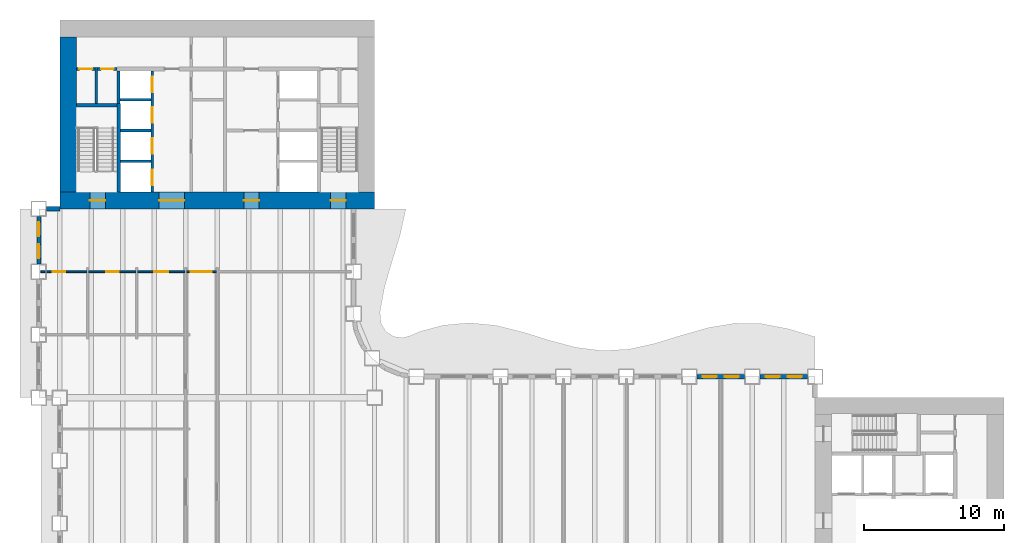
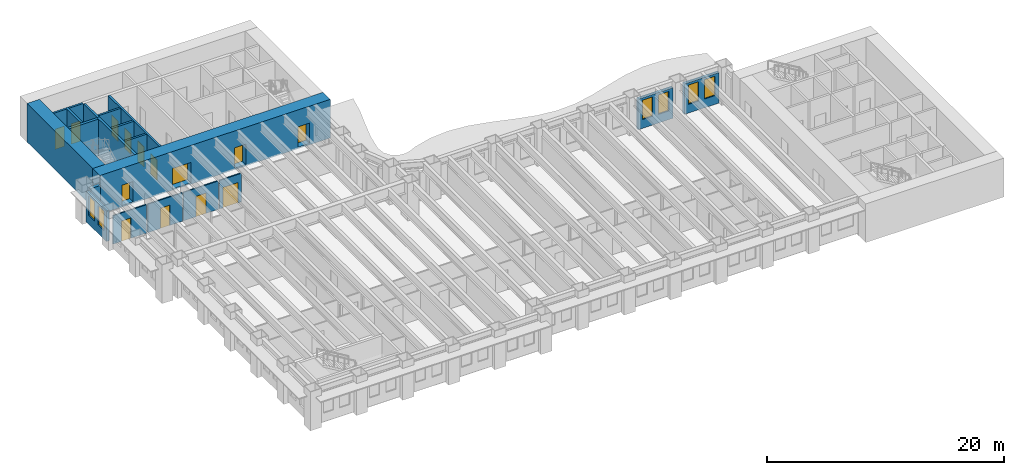
# One storey, part 7 of 16: 20 walls, 14 doors, 6 windows, 20 openings.
"""IFC4 building model written with IfcOpenShell, lengths in metres."""

from ifc_helpers import new_model, si_unit, direction, frame, frame_2d, origin, place, context, subcontext, project, spatial, rectangle, extrude, material, layer, layer_set, type_object, element, fill, save


model = new_model("IFC4")

# Units and contexts
model_context = context("Model", 3, precision=1e-05, world=origin(), true_north=direction((0.0, 1.0)))
body_context = subcontext(model_context, "Body", "Model", "MODEL_VIEW")
ifc_project = project(units=[si_unit("LENGTHUNIT", "METRE"), si_unit("AREAUNIT", "SQUARE_METRE"), si_unit("VOLUMEUNIT", "CUBIC_METRE"), si_unit("PLANEANGLEUNIT", "RADIAN"), si_unit("MASSUNIT", "GRAM", prefix="KILO")], contexts=[model_context])

# Site, building, storey
site_placement = place(None, origin())
site = spatial("IfcSite", under=ifc_project, at=site_placement, CompositionType="ELEMENT")
building_placement = place(site_placement, origin())
building = spatial("IfcBuilding", under=site, at=building_placement, Name="Sennacour Bend Tower", CompositionType="ELEMENT")
storey_placement = place(building_placement, frame((0.0, 0.0, 69.0)))
storey = spatial("IfcBuildingStorey", under=building, at=storey_placement, Name="L15", CompositionType="ELEMENT", Elevation=69.0)

# Wall, openings, doors
ifc_material_1 = material(Name="Concrete C80/95", Category="concrete")
ifc_layer_1 = layer(ifc_material_1, 1.199951171875, Name="Concrete C80/95", Category="concrete")
ifc_layer_set_1 = layer_set([ifc_layer_1], Name="Concrete C80/95")
wall_type_1 = type_object("IfcWallType", Name="Core wall 1200 C80/95", PredefinedType="SHEAR", material=ifc_layer_set_1)
wall_1_placement = place(storey_placement, frame((0.0, 36.60009765625, -0.14990234375), z_axis=(0.0, 0.0, 1.0), x_axis=(1.0, 0.0, 0.0)))
wall_1 = element("IfcWall", 1, at=wall_1_placement, inside=storey, type_object=wall_type_1, Name="Core B wall L15 S", PredefinedType="SHEAR", context=body_context, shape_type="SweptSolid", body=[
    extrude(rectangle(XDim=22.5, YDim=1.199951171875, at=frame_2d((11.25, 0.0))), origin(), (0.0, 0.0, 1.0), 4.0),
])
opening_1_placement = place(wall_1_placement, frame((7.10009765625, 0.0, 0.14990234375)))
opening_1 = element("IfcOpeningElement", 2, at=opening_1_placement, cuts=wall_1, Name="Opening CD", PredefinedType="OPENING", context=body_context, shape_type="SweptSolid", body=[
    extrude(rectangle(XDim=1.800048828125, YDim=2.10009765625, at=frame_2d((0.89990234375, 1.050048828125))), frame((0.0, 0.60986328125, 0.0), z_axis=(0.0, -1.0, 0.0), x_axis=(1.0, 0.0, 0.0)), (0.0, 0.0, 1.0), 1.219970703125),
])
opening_2_placement = place(wall_1_placement, frame((13.14990234375, 0.0, 0.14990234375)))
opening_2 = element("IfcOpeningElement", 3, at=opening_2_placement, cuts=wall_1, Name="Opening FD", PredefinedType="OPENING", context=body_context, shape_type="SweptSolid", body=[
    extrude(rectangle(XDim=1.10009765625, YDim=2.10009765625, at=frame_2d((0.550048828125, 1.050048828125))), frame((0.0, 0.60986328125, 0.0), z_axis=(0.0, -1.0, 0.0), x_axis=(1.0, 0.0, 0.0)), (0.0, 0.0, 1.0), 1.219970703125),
])
opening_3_placement = place(wall_1_placement, frame((2.14990234375, 0.0, 0.14990234375)))
opening_3 = element("IfcOpeningElement", 4, at=opening_3_placement, cuts=wall_1, Name="Opening SD", PredefinedType="OPENING", context=body_context, shape_type="SweptSolid", body=[
    extrude(rectangle(XDim=1.10009765625, YDim=2.10009765625, at=frame_2d((0.550048828125, 1.050048828125))), frame((0.0, 0.60986328125, 0.0), z_axis=(0.0, -1.0, 0.0), x_axis=(1.0, 0.0, 0.0)), (0.0, 0.0, 1.0), 1.219970703125),
])
opening_4_placement = place(wall_1_placement, frame((19.35009765625, 0.0, 0.14990234375)))
opening_4 = element("IfcOpeningElement", 5, at=opening_4_placement, cuts=wall_1, Name="Opening SD", PredefinedType="OPENING", context=body_context, shape_type="SweptSolid", body=[
    extrude(rectangle(XDim=1.10009765625, YDim=2.10009765625, at=frame_2d((0.550048828125, 1.050048828125))), frame((0.0, 0.60986328125, 0.0), z_axis=(0.0, -1.0, 0.0), x_axis=(1.0, 0.0, 0.0)), (0.0, 0.0, 1.0), 1.219970703125),
])
ifc_material_2 = material(Name="Painted steel", Category="steel")
door_type_1 = type_object("IfcDoorType", Name="DR-FFL-1100", OperationType="NOTDEFINED", PredefinedType="DOOR", material=ifc_material_2)
door_1_placement = place(opening_2_placement, origin())
door_1 = element("IfcDoor", 6, at=door_1_placement, inside=storey, type_object=door_type_1, Name="Door", OperationType="SINGLE_SWING_RIGHT", OverallHeight=2.10009765625, OverallWidth=1.10009765625, PredefinedType="DOOR", context=body_context, shape_type="SweptSolid", body=[
    extrude(rectangle(XDim=1.10009765625, YDim=2.10009765625, at=frame_2d((0.550048828125, 1.050048828125))), frame((0.0, 0.02490234375, 0.0), z_axis=(0.0, -1.0, 0.0), x_axis=(1.0, 0.0, 0.0)), (0.0, 0.0, 1.0), 0.050048828125),
])
fill(opening_2, door_1)
door_type_2 = type_object("IfcDoorType", Name="DR-LOBBY-1800", OperationType="NOTDEFINED", PredefinedType="DOOR", material=ifc_material_2)
door_2_placement = place(opening_1_placement, origin())
door_2 = element("IfcDoor", 7, at=door_2_placement, inside=storey, type_object=door_type_2, Name="Door", OperationType="DOUBLE_DOOR_SINGLE_SWING", OverallHeight=2.10009765625, OverallWidth=1.800048828125, PredefinedType="DOOR", context=body_context, shape_type="SweptSolid", body=[
    extrude(rectangle(XDim=1.800048828125, YDim=2.10009765625, at=frame_2d((0.89990234375, 1.050048828125))), frame((0.0, 0.02490234375, 0.0), z_axis=(0.0, -1.0, 0.0), x_axis=(1.0, 0.0, 0.0)), (0.0, 0.0, 1.0), 0.050048828125),
])
fill(opening_1, door_2)
door_type_3 = type_object("IfcDoorType", Name="DR-STAIR-1100", OperationType="NOTDEFINED", PredefinedType="DOOR", material=ifc_material_2)
door_3_placement = place(opening_3_placement, origin())
door_3 = element("IfcDoor", 8, at=door_3_placement, inside=storey, type_object=door_type_3, Name="Door", OperationType="SINGLE_SWING_LEFT", OverallHeight=2.10009765625, OverallWidth=1.10009765625, PredefinedType="DOOR", context=body_context, shape_type="SweptSolid", body=[
    extrude(rectangle(XDim=1.10009765625, YDim=2.10009765625, at=frame_2d((0.550048828125, 1.050048828125))), frame((0.0, 0.02490234375, 0.0), z_axis=(0.0, -1.0, 0.0), x_axis=(1.0, 0.0, 0.0)), (0.0, 0.0, 1.0), 0.050048828125),
])
fill(opening_3, door_3)
door_4_placement = place(opening_4_placement, origin())
door_4 = element("IfcDoor", 9, at=door_4_placement, inside=storey, type_object=door_type_3, Name="Door", OperationType="SINGLE_SWING_RIGHT", OverallHeight=2.10009765625, OverallWidth=1.10009765625, PredefinedType="DOOR", context=body_context, shape_type="SweptSolid", body=[
    extrude(rectangle(XDim=1.10009765625, YDim=2.10009765625, at=frame_2d((0.550048828125, 1.050048828125))), frame((0.0, 0.02490234375, 0.0), z_axis=(0.0, -1.0, 0.0), x_axis=(1.0, 0.0, 0.0)), (0.0, 0.0, 1.0), 0.050048828125),
])
fill(opening_4, door_4)

# Wall
wall_2_placement = place(storey_placement, frame((0.60009765625, 37.199951171875, -0.14990234375), z_axis=(0.0, 0.0, 1.0), x_axis=(0.0, 1.0, 0.0)))
element("IfcWall", 10, at=wall_2_placement, inside=storey, type_object=wall_type_1, Name="Core B wall L15 W", PredefinedType="SHEAR", context=body_context, shape_type="SweptSolid", body=[
    extrude(rectangle(XDim=11.10009765625, YDim=1.199951171875, at=frame_2d((5.550048828125, 0.0))), origin(), (0.0, 0.0, 1.0), 4.0),
])

# Wall, opening, door
ifc_material_3 = material(Name="Plasterboard partition on steel studs", Category="steel")
ifc_layer_2 = layer(ifc_material_3, 0.1201171875, Name="Plasterboard partition on steel studs", Category="steel")
ifc_layer_set_2 = layer_set([ifc_layer_2], Name="Plasterboard partition on steel studs")
wall_type_2 = type_object("IfcWallType", Name="Partition 120", PredefinedType="PARTITIONING", material=ifc_layer_set_2)
wall_3_placement = place(storey_placement, frame((-1.35009765625, 31.5, 0.0), z_axis=(0.0, 0.0, 1.0), x_axis=(1.0, 0.0, 0.0)))
wall_3 = element("IfcWall", 11, at=wall_3_placement, inside=storey, type_object=wall_type_2, Name="P-L15-W076aa", PredefinedType="PARTITIONING", context=body_context, shape_type="SweptSolid", body=[
    extrude(rectangle(XDim=3.2900390625, YDim=0.1201171875, at=frame_2d((1.64501953125, 0.0))), origin(), (0.0, 0.0, 1.0), 2.93798828125),
])
opening_5_placement = place(wall_3_placement, frame((0.85009765625, 0.0, 0.0)))
opening_5 = element("IfcOpeningElement", 12, at=opening_5_placement, cuts=wall_3, Name="Opening WD", PredefinedType="OPENING", context=body_context, shape_type="SweptSolid", body=[
    extrude(rectangle(XDim=0.89990234375, YDim=2.10009765625, at=frame_2d((0.449951171875, 1.050048828125))), frame((0.0, 0.070068359375, 0.0), z_axis=(0.0, -1.0, 0.0), x_axis=(1.0, 0.0, 0.0)), (0.0, 0.0, 1.0), 0.14013671875),
])
ifc_material_4 = material(Name="Timber", Category="wood")
door_type_4 = type_object("IfcDoorType", Name="DR-WC-900", OperationType="NOTDEFINED", PredefinedType="DOOR", material=ifc_material_4)
door_5_placement = place(opening_5_placement, origin())
door_5 = element("IfcDoor", 13, at=door_5_placement, inside=storey, type_object=door_type_4, Name="Door", OperationType="SINGLE_SWING_LEFT", OverallHeight=2.10009765625, OverallWidth=0.89990234375, PredefinedType="DOOR", context=body_context, shape_type="SweptSolid", body=[
    extrude(rectangle(XDim=0.89990234375, YDim=2.10009765625, at=frame_2d((0.449951171875, 1.050048828125))), frame((0.0, 0.02490234375, 0.0), z_axis=(0.0, -1.0, 0.0), x_axis=(1.0, 0.0, 0.0)), (0.0, 0.0, 1.0), 0.050048828125),
])
fill(opening_5, door_5)

wall_4_placement = place(storey_placement, frame((2.06005859375, 31.5, 0.0), z_axis=(0.0, 0.0, 1.0), x_axis=(1.0, 0.0, 0.0)))
wall_4 = element("IfcWall", 14, at=wall_4_placement, inside=storey, type_object=wall_type_2, Name="P-L15-W076ab", PredefinedType="PARTITIONING", context=body_context, shape_type="SweptSolid", body=[
    extrude(rectangle(XDim=3.3798828125, YDim=0.1201171875, at=frame_2d((1.68994140625, 0.0))), origin(), (0.0, 0.0, 1.0), 2.93798828125),
])
opening_6_placement = place(wall_4_placement, frame((1.239990234375, 0.0, 0.0)))
opening_6 = element("IfcOpeningElement", 15, at=opening_6_placement, cuts=wall_4, Name="Opening WD", PredefinedType="OPENING", context=body_context, shape_type="SweptSolid", body=[
    extrude(rectangle(XDim=0.89990234375, YDim=2.10009765625, at=frame_2d((0.449951171875, 1.050048828125))), frame((0.0, 0.070068359375, 0.0), z_axis=(0.0, -1.0, 0.0), x_axis=(1.0, 0.0, 0.0)), (0.0, 0.0, 1.0), 0.14013671875),
])
door_6_placement = place(opening_6_placement, origin())
door_6 = element("IfcDoor", 16, at=door_6_placement, inside=storey, type_object=door_type_4, Name="Door", OperationType="SINGLE_SWING_LEFT", OverallHeight=2.10009765625, OverallWidth=0.89990234375, PredefinedType="DOOR", context=body_context, shape_type="SweptSolid", body=[
    extrude(rectangle(XDim=0.89990234375, YDim=2.10009765625, at=frame_2d((0.449951171875, 1.050048828125))), frame((0.0, 0.02490234375, 0.0), z_axis=(0.0, -1.0, 0.0), x_axis=(1.0, 0.0, 0.0)), (0.0, 0.0, 1.0), 0.050048828125),
])
fill(opening_6, door_6)

wall_5_placement = place(storey_placement, frame((5.56005859375, 31.5, 0.0), z_axis=(0.0, 0.0, 1.0), x_axis=(1.0, 0.0, 0.0)))
wall_5 = element("IfcWall", 17, at=wall_5_placement, inside=storey, type_object=wall_type_2, Name="P-L15-W076ac", PredefinedType="PARTITIONING", context=body_context, shape_type="SweptSolid", body=[
    extrude(rectangle(XDim=3.3798828125, YDim=0.1201171875, at=frame_2d((1.68994140625, 0.0))), origin(), (0.0, 0.0, 1.0), 2.93798828125),
])
opening_7_placement = place(wall_5_placement, frame((1.18994140625, 0.0, 0.0)))
opening_7 = element("IfcOpeningElement", 18, at=opening_7_placement, cuts=wall_5, Name="Opening AD", PredefinedType="OPENING", context=body_context, shape_type="SweptSolid", body=[
    extrude(rectangle(XDim=1.0, YDim=2.10009765625, at=frame_2d((0.5, 1.050048828125))), frame((0.0, 0.070068359375, 0.0), z_axis=(0.0, -1.0, 0.0), x_axis=(1.0, 0.0, 0.0)), (0.0, 0.0, 1.0), 0.14013671875),
])
door_type_5 = type_object("IfcDoorType", Name="DR-ACC-WC-1000", OperationType="NOTDEFINED", PredefinedType="DOOR", material=ifc_material_4)
door_7_placement = place(opening_7_placement, origin())
door_7 = element("IfcDoor", 19, at=door_7_placement, inside=storey, type_object=door_type_5, Name="Door", OperationType="SINGLE_SWING_LEFT", OverallHeight=2.10009765625, OverallWidth=1.0, PredefinedType="DOOR", context=body_context, shape_type="SweptSolid", body=[
    extrude(rectangle(XDim=1.0, YDim=2.10009765625, at=frame_2d((0.5, 1.050048828125))), frame((0.0, 0.02490234375, 0.0), z_axis=(0.0, -1.0, 0.0), x_axis=(1.0, 0.0, 0.0)), (0.0, 0.0, 1.0), 0.050048828125),
])
fill(opening_7, door_7)

ifc_layer_3 = layer(ifc_material_3, 0.1201171875, Name="Plasterboard partition on steel studs", Category="steel")
ifc_layer_set_3 = layer_set([ifc_layer_3], Name="Plasterboard partition on steel studs")
wall_type_3 = type_object("IfcWallType", Name="Partition 120 EI 30", PredefinedType="PARTITIONING", material=ifc_layer_set_3)
wall_6_placement = place(storey_placement, frame((9.06005859375, 31.5, 0.0), z_axis=(0.0, 0.0, 1.0), x_axis=(1.0, 0.0, 0.0)))
wall_6 = element("IfcWall", 20, at=wall_6_placement, inside=storey, type_object=wall_type_3, Name="P-L15-W076ad", PredefinedType="PARTITIONING", context=body_context, shape_type="SweptSolid", body=[
    extrude(rectangle(XDim=2.1298828125, YDim=0.1201171875, at=frame_2d((1.06494140625, 0.0))), origin(), (0.0, 0.0, 1.0), 2.93798828125),
])
opening_8_placement = place(wall_6_placement, frame((0.31494140625, 0.0, 0.0)))
opening_8 = element("IfcOpeningElement", 21, at=opening_8_placement, cuts=wall_6, Name="Opening KD", PredefinedType="OPENING", context=body_context, shape_type="SweptSolid", body=[
    extrude(rectangle(XDim=1.5, YDim=2.10009765625, at=frame_2d((0.75, 1.050048828125))), frame((0.0, 0.070068359375, 0.0), z_axis=(0.0, -1.0, 0.0), x_axis=(1.0, 0.0, 0.0)), (0.0, 0.0, 1.0), 0.14013671875),
])
door_type_6 = type_object("IfcDoorType", Name="DR-CORRIDOR-1500", OperationType="NOTDEFINED", PredefinedType="DOOR", material=ifc_material_2)
door_8_placement = place(opening_8_placement, origin())
door_8 = element("IfcDoor", 22, at=door_8_placement, inside=storey, type_object=door_type_6, Name="Door", OperationType="SINGLE_SWING_LEFT", OverallHeight=2.10009765625, OverallWidth=1.5, PredefinedType="DOOR", context=body_context, shape_type="SweptSolid", body=[
    extrude(rectangle(XDim=1.5, YDim=2.10009765625, at=frame_2d((0.75, 1.050048828125))), frame((0.0, 0.02490234375, 0.0), z_axis=(0.0, -1.0, 0.0), x_axis=(1.0, 0.0, 0.0)), (0.0, 0.0, 1.0), 0.050048828125),
])
fill(opening_8, door_8)

# Wall
ifc_material_5 = material(Name="Fire-rated plasterboard partition on steel studs", Category="steel")
ifc_layer_4 = layer(ifc_material_5, 0.199951171875, Name="Fire-rated plasterboard partition on steel studs", Category="steel")
ifc_layer_set_4 = layer_set([ifc_layer_4], Name="Fire-rated plasterboard partition on steel studs")
wall_type_4 = type_object("IfcWallType", Name="Rated partition 200", PredefinedType="PARTITIONING", material=ifc_layer_set_4)
wall_7_placement = place(storey_placement, frame((2.60009765625, 43.52490234375, 0.0), z_axis=(0.0, 0.0, 1.0), x_axis=(0.0, 1.0, 0.0)))
element("IfcWall", 23, at=wall_7_placement, inside=storey, type_object=wall_type_4, Name="P-L15-W005", PredefinedType="PARTITIONING", context=body_context, shape_type="SweptSolid", body=[
    extrude(rectangle(XDim=2.5751953125, YDim=0.199951171875, at=frame_2d((1.28759765625, 0.0))), origin(), (0.0, 0.0, 1.0), 3.85009765625),
])

# Wall, opening, door
wall_8_placement = place(storey_placement, frame((1.199951171875, 46.0, 0.0), z_axis=(0.0, 0.0, 1.0), x_axis=(1.0, 0.0, 0.0)))
wall_8 = element("IfcWall", 24, at=wall_8_placement, inside=storey, type_object=wall_type_4, Name="P-L15-W088a", PredefinedType="PARTITIONING", context=body_context, shape_type="SweptSolid", body=[
    extrude(rectangle(XDim=1.300048828125, YDim=0.199951171875, at=frame_2d((0.64990234375, 0.0))), origin(), (0.0, 0.0, 1.0), 3.85009765625),
])
opening_9_placement = place(wall_8_placement, frame((0.199951171875, 0.0, 0.0)))
opening_9 = element("IfcOpeningElement", 25, at=opening_9_placement, cuts=wall_8, Name="Opening SV", PredefinedType="OPENING", context=body_context, shape_type="SweptSolid", body=[
    extrude(rectangle(XDim=0.89990234375, YDim=2.10009765625, at=frame_2d((0.449951171875, 1.050048828125))), frame((0.0, 0.10986328125, 0.0), z_axis=(0.0, -1.0, 0.0), x_axis=(1.0, 0.0, 0.0)), (0.0, 0.0, 1.0), 0.219970703125),
])
door_type_7 = type_object("IfcDoorType", Name="DR-SERVICE-900", OperationType="NOTDEFINED", PredefinedType="DOOR", material=ifc_material_2)
door_9_placement = place(opening_9_placement, origin())
door_9 = element("IfcDoor", 26, at=door_9_placement, inside=storey, type_object=door_type_7, Name="Door", OperationType="SINGLE_SWING_LEFT", OverallHeight=2.10009765625, OverallWidth=0.89990234375, PredefinedType="DOOR", context=body_context, shape_type="SweptSolid", body=[
    extrude(rectangle(XDim=0.89990234375, YDim=2.10009765625, at=frame_2d((0.449951171875, 1.050048828125))), frame((0.0, 0.02490234375, 0.0), z_axis=(0.0, -1.0, 0.0), x_axis=(1.0, 0.0, 0.0)), (0.0, 0.0, 1.0), 0.050048828125),
])
fill(opening_9, door_9)

wall_9_placement = place(storey_placement, frame((2.699951171875, 46.0, 0.0), z_axis=(0.0, 0.0, 1.0), x_axis=(1.0, 0.0, 0.0)))
wall_9 = element("IfcWall", 27, at=wall_9_placement, inside=storey, type_object=wall_type_4, Name="P-L15-W088b", PredefinedType="PARTITIONING", context=body_context, shape_type="SweptSolid", body=[
    extrude(rectangle(XDim=1.400146484375, YDim=0.199951171875, at=frame_2d((0.7001953125, 0.0))), origin(), (0.0, 0.0, 1.0), 3.85009765625),
])
opening_10_placement = place(wall_9_placement, frame((0.25, 0.0, 0.0)))
opening_10 = element("IfcOpeningElement", 28, at=opening_10_placement, cuts=wall_9, Name="Opening WD", PredefinedType="OPENING", context=body_context, shape_type="SweptSolid", body=[
    extrude(rectangle(XDim=0.89990234375, YDim=2.10009765625, at=frame_2d((0.449951171875, 1.050048828125))), frame((0.0, 0.10986328125, 0.0), z_axis=(0.0, -1.0, 0.0), x_axis=(1.0, 0.0, 0.0)), (0.0, 0.0, 1.0), 0.219970703125),
])
door_10_placement = place(opening_10_placement, origin())
door_10 = element("IfcDoor", 29, at=door_10_placement, inside=storey, type_object=door_type_4, Name="Door", OperationType="SINGLE_SWING_LEFT", OverallHeight=2.10009765625, OverallWidth=0.89990234375, PredefinedType="DOOR", context=body_context, shape_type="SweptSolid", body=[
    extrude(rectangle(XDim=0.89990234375, YDim=2.10009765625, at=frame_2d((0.449951171875, 1.050048828125))), frame((0.0, 0.02490234375, 0.0), z_axis=(0.0, -1.0, 0.0), x_axis=(1.0, 0.0, 0.0)), (0.0, 0.0, 1.0), 0.050048828125),
])
fill(opening_10, door_10)

# Wall, openings, windows
ifc_material_6 = material(Name="Warm limestone cladding", Category="masonry")
ifc_layer_5 = layer(ifc_material_6, 0.050048828125, Name="Warm limestone cladding", Category="masonry")
ifc_material_7 = material(Name="Precast concrete C40/50", Category="concrete")
ifc_layer_6 = layer(ifc_material_7, 0.25, Name="Precast concrete C40/50", Category="concrete")
ifc_layer_set_5 = layer_set([ifc_layer_5, ifc_layer_6], Name="Precast concrete C40/50 with limestone cladding")
wall_type_5 = type_object("IfcWallType", Name="STONE-CLAD PRECAST SPANDREL 300", PredefinedType="STANDARD", material=ifc_layer_set_5)
wall_10_placement = place(storey_placement, frame((53.449951171875, 24.0, 0.0), z_axis=(0.0, 0.0, 1.0), x_axis=(-1.0, 0.0, 0.0)))
wall_10 = element("IfcWall", 30, at=wall_10_placement, inside=storey, type_object=wall_type_5, Name="Stone spandrel and pier wall L15 08.00", PredefinedType="STANDARD", context=body_context, shape_type="SweptSolid", body=[
    extrude(rectangle(XDim=3.39990234375, YDim=0.300048828125, at=frame_2d((1.699951171875, 0.0))), origin(), (0.0, 0.0, 1.0), 3.14404296875),
])
opening_11_placement = place(wall_10_placement, frame((0.39990234375, 0.0, 0.89990234375)))
opening_11 = element("IfcOpeningElement", 31, at=opening_11_placement, cuts=wall_10, Name="Opening W8", PredefinedType="OPENING", context=body_context, shape_type="SweptSolid", body=[
    extrude(rectangle(XDim=1.0, YDim=2.0, at=frame_2d((0.5, 1.0))), frame((0.0, 0.16015625, 0.0), z_axis=(0.0, -1.0, 0.0), x_axis=(1.0, 0.0, 0.0)), (0.0, 0.0, 1.0), 0.320068359375),
])
opening_12_placement = place(wall_10_placement, frame((2.0, 0.0, 0.89990234375)))
opening_12 = element("IfcOpeningElement", 32, at=opening_12_placement, cuts=wall_10, Name="Opening W8", PredefinedType="OPENING", context=body_context, shape_type="SweptSolid", body=[
    extrude(rectangle(XDim=1.0, YDim=2.0, at=frame_2d((0.5, 1.0))), frame((0.0, 0.16015625, 0.0), z_axis=(0.0, -1.0, 0.0), x_axis=(1.0, 0.0, 0.0)), (0.0, 0.0, 1.0), 0.320068359375),
])
ifc_material_8 = material(Name="Clear low-emissivity glass", Category="glass")
window_type = type_object("IfcWindowType", Name="WIN-RIBBON-1000x2000", PartitioningType="SINGLE_PANEL", PredefinedType="WINDOW", material=ifc_material_8)
window_1_placement = place(opening_11_placement, origin())
window_1 = element("IfcWindow", 33, at=window_1_placement, inside=storey, type_object=window_type, Name="Ribbon window L15 08.00.0", OverallHeight=2.0, OverallWidth=1.0, PartitioningType="SINGLE_PANEL", PredefinedType="WINDOW", context=body_context, shape_type="SweptSolid", body=[
    extrude(rectangle(XDim=1.0, YDim=2.0, at=frame_2d((0.5, 1.0))), frame((0.0, 0.030029296875, 0.0), z_axis=(0.0, -1.0, 0.0), x_axis=(1.0, 0.0, 0.0)), (0.0, 0.0, 1.0), 0.06005859375),
])
fill(opening_11, window_1)
window_2_placement = place(opening_12_placement, origin())
window_2 = element("IfcWindow", 34, at=window_2_placement, inside=storey, type_object=window_type, Name="Ribbon window L15 08.00.1", OverallHeight=2.0, OverallWidth=1.0, PartitioningType="SINGLE_PANEL", PredefinedType="WINDOW", context=body_context, shape_type="SweptSolid", body=[
    extrude(rectangle(XDim=1.0, YDim=2.0, at=frame_2d((0.5, 1.0))), frame((0.0, 0.030029296875, 0.0), z_axis=(0.0, -1.0, 0.0), x_axis=(1.0, 0.0, 0.0)), (0.0, 0.0, 1.0), 0.06005859375),
])
fill(opening_12, window_2)

wall_11_placement = place(storey_placement, frame((48.949951171875, 24.0, 0.0), z_axis=(0.0, 0.0, 1.0), x_axis=(-1.0, 0.0, 0.0)))
wall_11 = element("IfcWall", 35, at=wall_11_placement, inside=storey, type_object=wall_type_5, Name="Stone spandrel and pier wall L15 08.01", PredefinedType="STANDARD", context=body_context, shape_type="SweptSolid", body=[
    extrude(rectangle(XDim=3.39990234375, YDim=0.300048828125, at=frame_2d((1.699951171875, 0.0))), origin(), (0.0, 0.0, 1.0), 3.14404296875),
])
opening_13_placement = place(wall_11_placement, frame((0.39990234375, 0.0, 0.89990234375)))
opening_13 = element("IfcOpeningElement", 36, at=opening_13_placement, cuts=wall_11, Name="Opening W8", PredefinedType="OPENING", context=body_context, shape_type="SweptSolid", body=[
    extrude(rectangle(XDim=1.0, YDim=2.0, at=frame_2d((0.5, 1.0))), frame((0.0, 0.16015625, 0.0), z_axis=(0.0, -1.0, 0.0), x_axis=(1.0, 0.0, 0.0)), (0.0, 0.0, 1.0), 0.320068359375),
])
opening_14_placement = place(wall_11_placement, frame((2.0, 0.0, 0.89990234375)))
opening_14 = element("IfcOpeningElement", 37, at=opening_14_placement, cuts=wall_11, Name="Opening W8", PredefinedType="OPENING", context=body_context, shape_type="SweptSolid", body=[
    extrude(rectangle(XDim=1.0, YDim=2.0, at=frame_2d((0.5, 1.0))), frame((0.0, 0.16015625, 0.0), z_axis=(0.0, -1.0, 0.0), x_axis=(1.0, 0.0, 0.0)), (0.0, 0.0, 1.0), 0.320068359375),
])
window_3_placement = place(opening_13_placement, origin())
window_3 = element("IfcWindow", 38, at=window_3_placement, inside=storey, type_object=window_type, Name="Ribbon window L15 08.01.0", OverallHeight=2.0, OverallWidth=1.0, PartitioningType="SINGLE_PANEL", PredefinedType="WINDOW", context=body_context, shape_type="SweptSolid", body=[
    extrude(rectangle(XDim=1.0, YDim=2.0, at=frame_2d((0.5, 1.0))), frame((0.0, 0.030029296875, 0.0), z_axis=(0.0, -1.0, 0.0), x_axis=(1.0, 0.0, 0.0)), (0.0, 0.0, 1.0), 0.06005859375),
])
fill(opening_13, window_3)
window_4_placement = place(opening_14_placement, origin())
window_4 = element("IfcWindow", 39, at=window_4_placement, inside=storey, type_object=window_type, Name="Ribbon window L15 08.01.1", OverallHeight=2.0, OverallWidth=1.0, PartitioningType="SINGLE_PANEL", PredefinedType="WINDOW", context=body_context, shape_type="SweptSolid", body=[
    extrude(rectangle(XDim=1.0, YDim=2.0, at=frame_2d((0.5, 1.0))), frame((0.0, 0.030029296875, 0.0), z_axis=(0.0, -1.0, 0.0), x_axis=(1.0, 0.0, 0.0)), (0.0, 0.0, 1.0), 0.06005859375),
])
fill(opening_14, window_4)

# Wall
wall_12_placement = place(storey_placement, frame((0.0, 36.0, 0.0), z_axis=(0.0, 0.0, 1.0), x_axis=(-1.0, 0.0, 0.0)))
element("IfcWall", 40, at=wall_12_placement, inside=storey, type_object=wall_type_5, Name="Stone spandrel and pier wall L15 20.00", PredefinedType="STANDARD", context=body_context, shape_type="SweptSolid", body=[
    extrude(rectangle(XDim=0.949951171875, YDim=0.300048828125, at=frame_2d((0.47509765625, 0.0))), origin(), (0.0, 0.0, 1.0), 2.93798828125),
])

# Wall, openings, windows
wall_13_placement = place(storey_placement, frame((-1.5, 35.449951171875, 0.0), z_axis=(0.0, 0.0, 1.0), x_axis=(0.0, -1.0, 0.0)))
wall_13 = element("IfcWall", 41, at=wall_13_placement, inside=storey, type_object=wall_type_5, Name="Stone spandrel and pier wall L15 21.00", PredefinedType="STANDARD", context=body_context, shape_type="SweptSolid", body=[
    extrude(rectangle(XDim=3.39990234375, YDim=0.300048828125, at=frame_2d((1.699951171875, 0.0))), origin(), (0.0, 0.0, 1.0), 3.14404296875),
])
opening_15_placement = place(wall_13_placement, frame((0.39990234375, 0.0, 0.89990234375)))
opening_15 = element("IfcOpeningElement", 42, at=opening_15_placement, cuts=wall_13, Name="Opening W8", PredefinedType="OPENING", context=body_context, shape_type="SweptSolid", body=[
    extrude(rectangle(XDim=1.0, YDim=2.0, at=frame_2d((0.5, 1.0))), frame((0.0, 0.16015625, 0.0), z_axis=(0.0, -1.0, 0.0), x_axis=(1.0, 0.0, 0.0)), (0.0, 0.0, 1.0), 0.320068359375),
])
opening_16_placement = place(wall_13_placement, frame((2.0, 0.0, 0.89990234375)))
opening_16 = element("IfcOpeningElement", 43, at=opening_16_placement, cuts=wall_13, Name="Opening W8", PredefinedType="OPENING", context=body_context, shape_type="SweptSolid", body=[
    extrude(rectangle(XDim=1.0, YDim=2.0, at=frame_2d((0.5, 1.0))), frame((0.0, 0.16015625, 0.0), z_axis=(0.0, -1.0, 0.0), x_axis=(1.0, 0.0, 0.0)), (0.0, 0.0, 1.0), 0.320068359375),
])
window_5_placement = place(opening_15_placement, origin())
window_5 = element("IfcWindow", 44, at=window_5_placement, inside=storey, type_object=window_type, Name="Ribbon window L15 21.00.0", OverallHeight=2.0, OverallWidth=1.0, PartitioningType="SINGLE_PANEL", PredefinedType="WINDOW", context=body_context, shape_type="SweptSolid", body=[
    extrude(rectangle(XDim=1.0, YDim=2.0, at=frame_2d((0.5, 1.0))), frame((0.0, 0.030029296875, 0.0), z_axis=(0.0, -1.0, 0.0), x_axis=(1.0, 0.0, 0.0)), (0.0, 0.0, 1.0), 0.06005859375),
])
fill(opening_15, window_5)
window_6_placement = place(opening_16_placement, origin())
window_6 = element("IfcWindow", 45, at=window_6_placement, inside=storey, type_object=window_type, Name="Ribbon window L15 21.00.1", OverallHeight=2.0, OverallWidth=1.0, PartitioningType="SINGLE_PANEL", PredefinedType="WINDOW", context=body_context, shape_type="SweptSolid", body=[
    extrude(rectangle(XDim=1.0, YDim=2.0, at=frame_2d((0.5, 1.0))), frame((0.0, 0.030029296875, 0.0), z_axis=(0.0, -1.0, 0.0), x_axis=(1.0, 0.0, 0.0)), (0.0, 0.0, 1.0), 0.06005859375),
])
fill(opening_16, window_6)

# Wall
ifc_material_9 = material(Name="Concrete C50/60", Category="concrete")
ifc_layer_7 = layer(ifc_material_9, 0.199951171875, Name="Concrete C50/60", Category="concrete")
ifc_layer_set_6 = layer_set([ifc_layer_7], Name="Concrete C50/60")
wall_type_6 = type_object("IfcWallType", Name="Shaft wall 200", PredefinedType="SOLIDWALL", material=ifc_layer_set_6)
wall_14_placement = place(storey_placement, frame((4.199951171875, 43.52490234375, 0.0), z_axis=(0.0, 0.0, 1.0), x_axis=(0.0, 1.0, 0.0)))
element("IfcWall", 46, at=wall_14_placement, inside=storey, type_object=wall_type_6, Name="P-L15-W007", PredefinedType="SOLIDWALL", context=body_context, shape_type="SweptSolid", body=[
    extrude(rectangle(XDim=2.3251953125, YDim=0.199951171875, at=frame_2d((1.16259765625, 0.0))), origin(), (0.0, 0.0, 1.0), 3.85009765625),
])

# Wall, openings, doors
wall_15_placement = place(storey_placement, frame((6.60009765625, 37.199951171875, 0.0), z_axis=(0.0, 0.0, 1.0), x_axis=(0.0, 1.0, 0.0)))
wall_15 = element("IfcWall", 47, at=wall_15_placement, inside=storey, type_object=wall_type_6, Name="P-L15-W009", PredefinedType="SOLIDWALL", context=body_context, shape_type="SweptSolid", body=[
    extrude(rectangle(XDim=8.650146484375, YDim=0.199951171875, at=frame_2d((4.3251953125, 0.0))), origin(), (0.0, 0.0, 1.0), 3.85009765625),
])
opening_17_placement = place(wall_15_placement, frame((0.5, 0.0, 0.011962890625)))
opening_17 = element("IfcOpeningElement", 48, at=opening_17_placement, cuts=wall_15, Name="Opening LD", PredefinedType="OPENING", context=body_context, shape_type="SweptSolid", body=[
    extrude(rectangle(XDim=1.10009765625, YDim=2.10009765625, at=frame_2d((0.550048828125, 1.050048828125))), frame((0.0, 0.10986328125, 0.0), z_axis=(0.0, -1.0, 0.0), x_axis=(1.0, 0.0, 0.0)), (0.0, 0.0, 1.0), 0.219970703125),
])
opening_18_placement = place(wall_15_placement, frame((2.75, 0.0, 0.011962890625)))
opening_18 = element("IfcOpeningElement", 49, at=opening_18_placement, cuts=wall_15, Name="Opening LD", PredefinedType="OPENING", context=body_context, shape_type="SweptSolid", body=[
    extrude(rectangle(XDim=1.10009765625, YDim=2.10009765625, at=frame_2d((0.550048828125, 1.050048828125))), frame((0.0, 0.10986328125, 0.0), z_axis=(0.0, -1.0, 0.0), x_axis=(1.0, 0.0, 0.0)), (0.0, 0.0, 1.0), 0.219970703125),
])
opening_19_placement = place(wall_15_placement, frame((4.949951171875, 0.0, 0.011962890625)))
opening_19 = element("IfcOpeningElement", 50, at=opening_19_placement, cuts=wall_15, Name="Opening LD", PredefinedType="OPENING", context=body_context, shape_type="SweptSolid", body=[
    extrude(rectangle(XDim=1.10009765625, YDim=2.10009765625, at=frame_2d((0.550048828125, 1.050048828125))), frame((0.0, 0.10986328125, 0.0), z_axis=(0.0, -1.0, 0.0), x_axis=(1.0, 0.0, 0.0)), (0.0, 0.0, 1.0), 0.219970703125),
])
opening_20_placement = place(wall_15_placement, frame((7.125, 0.0, 0.011962890625)))
opening_20 = element("IfcOpeningElement", 51, at=opening_20_placement, cuts=wall_15, Name="Opening LD", PredefinedType="OPENING", context=body_context, shape_type="SweptSolid", body=[
    extrude(rectangle(XDim=1.10009765625, YDim=2.10009765625, at=frame_2d((0.550048828125, 1.050048828125))), frame((0.0, 0.10986328125, 0.0), z_axis=(0.0, -1.0, 0.0), x_axis=(1.0, 0.0, 0.0)), (0.0, 0.0, 1.0), 0.219970703125),
])
ifc_material_10 = material(Name="Stainless steel", Category="steel")
door_type_8 = type_object("IfcDoorType", Name="DR-LANDING-1100", OperationType="NOTDEFINED", PredefinedType="DOOR", material=ifc_material_10)
door_11_placement = place(opening_17_placement, origin())
door_11 = element("IfcDoor", 52, at=door_11_placement, inside=storey, type_object=door_type_8, Name="Lift landing door LB1", OperationType="SLIDING_TO_LEFT", OverallHeight=2.10009765625, OverallWidth=1.10009765625, PredefinedType="DOOR", context=body_context, shape_type="SweptSolid", body=[
    extrude(rectangle(XDim=1.10009765625, YDim=2.10009765625, at=frame_2d((0.550048828125, 1.050048828125))), frame((0.0, 0.02490234375, 0.0), z_axis=(0.0, -1.0, 0.0), x_axis=(1.0, 0.0, 0.0)), (0.0, 0.0, 1.0), 0.050048828125),
])
fill(opening_17, door_11)
door_12_placement = place(opening_18_placement, origin())
door_12 = element("IfcDoor", 53, at=door_12_placement, inside=storey, type_object=door_type_8, Name="Lift landing door LB2", OperationType="SLIDING_TO_RIGHT", OverallHeight=2.10009765625, OverallWidth=1.10009765625, PredefinedType="DOOR", context=body_context, shape_type="SweptSolid", body=[
    extrude(rectangle(XDim=1.10009765625, YDim=2.10009765625, at=frame_2d((0.550048828125, 1.050048828125))), frame((0.0, 0.02490234375, 0.0), z_axis=(0.0, -1.0, 0.0), x_axis=(1.0, 0.0, 0.0)), (0.0, 0.0, 1.0), 0.050048828125),
])
fill(opening_18, door_12)
door_13_placement = place(opening_19_placement, origin())
door_13 = element("IfcDoor", 54, at=door_13_placement, inside=storey, type_object=door_type_8, Name="Lift landing door LB3", OperationType="SLIDING_TO_LEFT", OverallHeight=2.10009765625, OverallWidth=1.10009765625, PredefinedType="DOOR", context=body_context, shape_type="SweptSolid", body=[
    extrude(rectangle(XDim=1.10009765625, YDim=2.10009765625, at=frame_2d((0.550048828125, 1.050048828125))), frame((0.0, 0.02490234375, 0.0), z_axis=(0.0, -1.0, 0.0), x_axis=(1.0, 0.0, 0.0)), (0.0, 0.0, 1.0), 0.050048828125),
])
fill(opening_19, door_13)
door_14_placement = place(opening_20_placement, origin())
door_14 = element("IfcDoor", 55, at=door_14_placement, inside=storey, type_object=door_type_8, Name="Lift landing door LB4", OperationType="SLIDING_TO_RIGHT", OverallHeight=2.10009765625, OverallWidth=1.10009765625, PredefinedType="DOOR", context=body_context, shape_type="SweptSolid", body=[
    extrude(rectangle(XDim=1.10009765625, YDim=2.10009765625, at=frame_2d((0.550048828125, 1.050048828125))), frame((0.0, 0.02490234375, 0.0), z_axis=(0.0, -1.0, 0.0), x_axis=(1.0, 0.0, 0.0)), (0.0, 0.0, 1.0), 0.050048828125),
])
fill(opening_20, door_14)

# Walls
for number, where, z_axis, x_axis, name in (
    (56, (4.324951171875, 39.39990234375, 0.0), (0.0, 0.0, 1.0), (1.0, 0.0, 0.0), "P-L15-W078"),
    (57, (4.324951171875, 41.60009765625, 0.0), (0.0, 0.0, 1.0), (1.0, 0.0, 0.0), "P-L15-W080"),
):
    element("IfcWall", number, at=place(storey_placement, frame(where, z_axis=z_axis, x_axis=x_axis)), inside=storey, type_object=wall_type_6, Name=name, PredefinedType="SOLIDWALL", context=body_context, shape_type="SweptSolid", body=[
        extrude(rectangle(XDim=2.175048828125, YDim=0.199951171875, at=frame_2d((1.08740234375, 0.0))), origin(), (0.0, 0.0, 1.0), 3.85009765625),
    ])
wall_16_placement = place(storey_placement, frame((4.300048828125, 43.800048828125, 0.0), z_axis=(0.0, 0.0, 1.0), x_axis=(1.0, 0.0, 0.0)))
element("IfcWall", 58, at=wall_16_placement, inside=storey, type_object=wall_type_6, Name="P-L15-W085", PredefinedType="SOLIDWALL", context=body_context, shape_type="SweptSolid", body=[
    extrude(rectangle(XDim=2.199951171875, YDim=0.199951171875, at=frame_2d((1.10009765625, 0.0))), origin(), (0.0, 0.0, 1.0), 3.85009765625),
])
ifc_material_11 = material(Name="Concrete C60/75", Category="concrete")
ifc_layer_8 = layer(ifc_material_11, 0.25, Name="Concrete C60/75", Category="concrete")
ifc_layer_set_7 = layer_set([ifc_layer_8], Name="Concrete C60/75")
wall_type_7 = type_object("IfcWallType", Name="Stair wall 250", PredefinedType="SHEAR", material=ifc_layer_set_7)
wall_17_placement = place(storey_placement, frame((4.199951171875, 37.199951171875, 0.0), z_axis=(0.0, 0.0, 1.0), x_axis=(0.0, 1.0, 0.0)))
element("IfcWall", 59, at=wall_17_placement, inside=storey, type_object=wall_type_7, Name="P-L15-W006", PredefinedType="SHEAR", context=body_context, shape_type="SweptSolid", body=[
    extrude(rectangle(XDim=6.324951171875, YDim=0.25, at=frame_2d((3.16259765625, 0.0))), origin(), (0.0, 0.0, 1.0), 3.85009765625),
])
wall_18_placement = place(storey_placement, frame((1.199951171875, 43.39990234375, 0.0), z_axis=(0.0, 0.0, 1.0), x_axis=(1.0, 0.0, 0.0)))
element("IfcWall", 60, at=wall_18_placement, inside=storey, type_object=wall_type_7, Name="P-L15-W083", PredefinedType="SHEAR", context=body_context, shape_type="SweptSolid", body=[
    extrude(rectangle(XDim=2.875, YDim=0.25, at=frame_2d((1.4375, 0.0))), origin(), (0.0, 0.0, 1.0), 3.85009765625),
])

save(model, "model.ifc")
